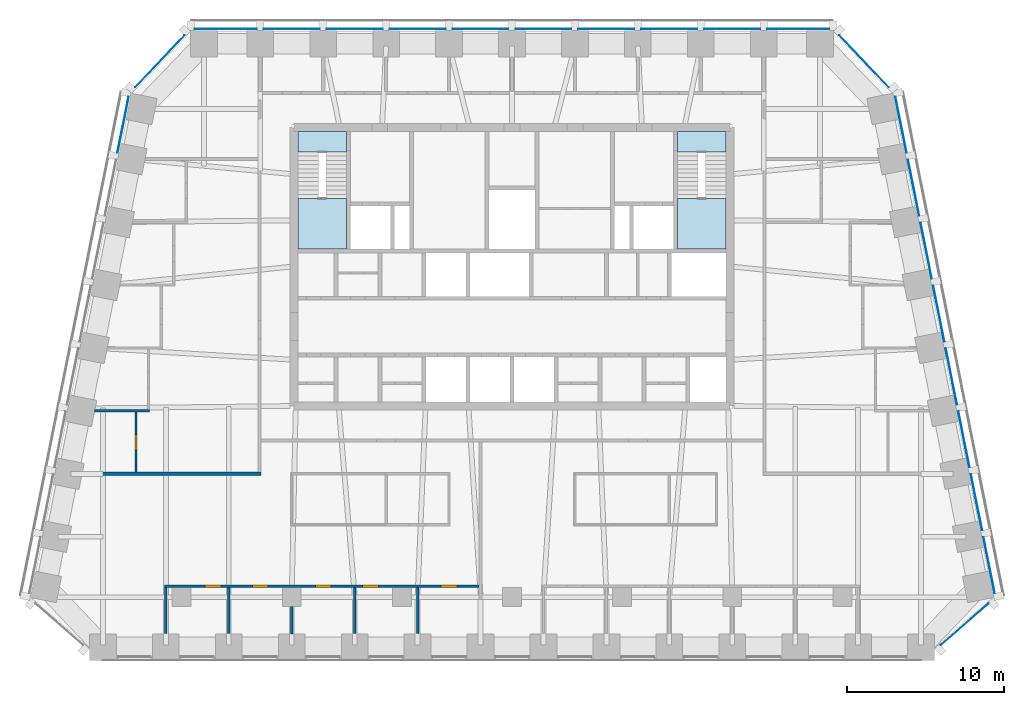
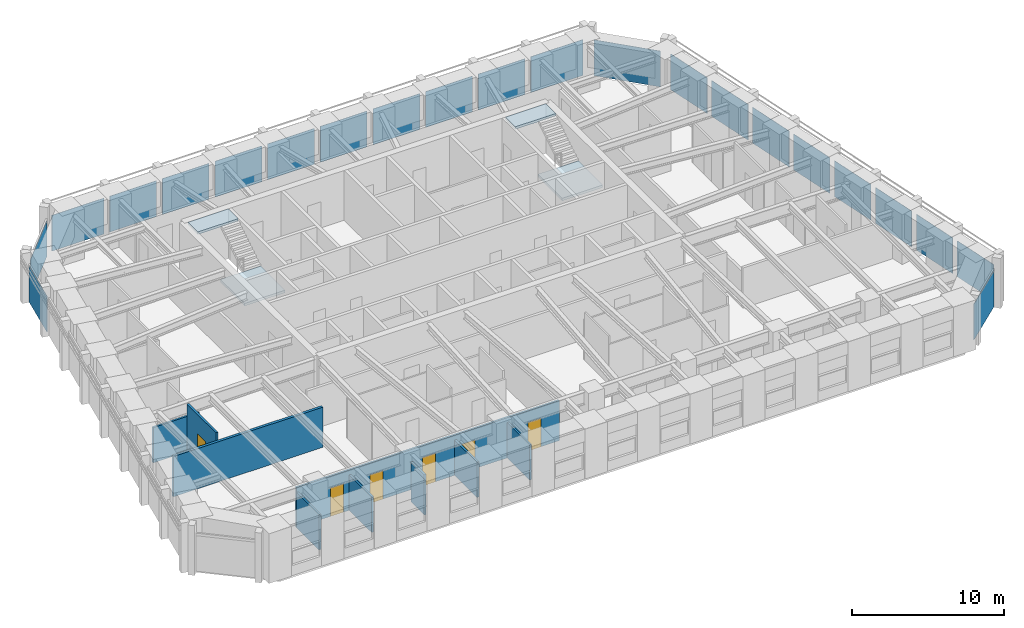
# One storey, part 4 of 11: 22 plates, 9 walls, 6 doors, 4 slabs, 6 openings, 8 elements without a shape of their own.
"""IFC4 building model written with IfcOpenShell, lengths in metres."""

from ifc_helpers import new_model, si_unit, direction, frame, frame_2d, origin, origin_2d, place, context, subcontext, project, spatial, polyline, rectangle, outline, extrude, material, layer, layer_set, type_object, element, fill, aggregate, save


model = new_model("IFC4")

# Units and contexts
model_context = context("Model", 3, precision=1e-05, world=origin(), true_north=direction((0.0, 1.0)))
body_context = subcontext(model_context, "Body", "Model", "MODEL_VIEW")
ifc_project = project(units=[si_unit("LENGTHUNIT", "METRE"), si_unit("AREAUNIT", "SQUARE_METRE"), si_unit("VOLUMEUNIT", "CUBIC_METRE"), si_unit("PLANEANGLEUNIT", "RADIAN"), si_unit("MASSUNIT", "GRAM", prefix="KILO")], contexts=[model_context])

# Site, building, storey
site_placement = place(None, origin())
site = spatial("IfcSite", under=ifc_project, at=site_placement, CompositionType="ELEMENT")
building_placement = place(site_placement, origin())
building = spatial("IfcBuilding", under=site, at=building_placement, Name="Isbrekke Arena Tower", CompositionType="ELEMENT")
storey_placement = place(building_placement, frame((0.0, 0.0, 276.0)))
storey = spatial("IfcBuildingStorey", under=building, at=storey_placement, Name="L64", CompositionType="ELEMENT", Elevation=276.0)

# Curtain wall, plate
ifc_material_1 = material(Name="Glazed aluminium curtain wall", Category="aluminium")
curtain_wall_type = type_object("IfcCurtainWallType", Name="CWT TOWER CURTAIN WALL TOP ZONE", PredefinedType="USERDEFINED", material=ifc_material_1)
curtain_wall_1_placement = place(storey_placement, origin())
curtain_wall_1 = element("IfcCurtainWall", 1, at=curtain_wall_1_placement, inside=storey, type_object=curtain_wall_type, Name="CWT curtain wall L64-SE", ObjectType="TOWER CURTAIN WALL TOP ZONE", PredefinedType="USERDEFINED")
ifc_material_2 = material(Name="Triple-glazed clear glass unit", Category="glass")
ifc_layer_1 = layer(ifc_material_2, 0.031982421875)
ifc_layer_set_1 = layer_set([ifc_layer_1], Name="CWT-P VISION PANEL")
plate_type = type_object("IfcPlateType", Name="CWT-P VISION PANEL", PredefinedType="CURTAIN_PANEL", material=ifc_layer_set_1)
plate_1_placement = place(storey_placement, frame((28.7724609375, -7.7216796875, 0.02001953125), z_axis=(0.0, 0.0, 1.0), x_axis=(0.754605522159, 0.65617871493, 0.0)))
plate_1 = element("IfcPlate", 2, at=plate_1_placement, type_object=plate_type, Name="CWT-P panel 1", PredefinedType="CURTAIN_PANEL", context=body_context, shape_type="SweptSolid", body=[
    extrude(rectangle(XDim=4.0283203125, YDim=0.031982421875, at=origin_2d()), origin(), (0.0, 0.0, 1.0), 2.8798828125),
])
aggregate(curtain_wall_1, [plate_1])

# Curtain wall, plates
curtain_wall_2_placement = place(storey_placement, origin())
curtain_wall_2 = element("IfcCurtainWall", 3, at=curtain_wall_2_placement, inside=storey, type_object=curtain_wall_type, Name="CWT curtain wall L64-E", ObjectType="TOWER CURTAIN WALL TOP ZONE", PredefinedType="USERDEFINED")
plate_2_placement = place(storey_placement, frame((30.322509765625, -3.9755859375, 0.02001953125), z_axis=(0.0, 0.0, 1.0), x_axis=(-0.196116135138, 0.980580675691, 0.0)))
plate_2 = element("IfcPlate", 4, at=plate_2_placement, type_object=plate_type, Name="CWT-P panel 1", PredefinedType="CURTAIN_PANEL", context=body_context, shape_type="SweptSolid", body=[
    extrude(rectangle(XDim=3.629150390625, YDim=0.031982421875, at=origin_2d()), origin(), (0.0, 0.0, 1.0), 2.8798828125),
])
plate_3_placement = place(storey_placement, frame((29.5224609375, 0.0244140625, 0.02001953125), z_axis=(0.0, 0.0, 1.0), x_axis=(-0.196116135138, 0.980580675691, 0.0)))
plate_3 = element("IfcPlate", 5, at=plate_3_placement, type_object=plate_type, Name="CWT-P panel 2", PredefinedType="CURTAIN_PANEL", context=body_context, shape_type="SweptSolid", body=[
    extrude(rectangle(XDim=3.629150390625, YDim=0.031982421875, at=origin_2d()), origin(), (0.0, 0.0, 1.0), 2.8798828125),
])
plate_4_placement = place(storey_placement, frame((28.72265625, 4.0244140625, 0.02001953125), z_axis=(0.0, 0.0, 1.0), x_axis=(-0.196116135138, 0.980580675691, 0.0)))
plate_4 = element("IfcPlate", 6, at=plate_4_placement, type_object=plate_type, Name="CWT-P panel 3", PredefinedType="CURTAIN_PANEL", context=body_context, shape_type="SweptSolid", body=[
    extrude(rectangle(XDim=3.629150390625, YDim=0.031982421875, at=origin_2d()), origin(), (0.0, 0.0, 1.0), 2.8798828125),
])
plate_5_placement = place(storey_placement, frame((27.922607421875, 8.0244140625, 0.02001953125), z_axis=(0.0, 0.0, 1.0), x_axis=(-0.196116135138, 0.980580675691, 0.0)))
plate_5 = element("IfcPlate", 7, at=plate_5_placement, type_object=plate_type, Name="CWT-P panel 4", PredefinedType="CURTAIN_PANEL", context=body_context, shape_type="SweptSolid", body=[
    extrude(rectangle(XDim=3.629150390625, YDim=0.031982421875, at=origin_2d()), origin(), (0.0, 0.0, 1.0), 2.8798828125),
])
plate_6_placement = place(storey_placement, frame((27.12255859375, 12.0244140625, 0.02001953125), z_axis=(0.0, 0.0, 1.0), x_axis=(-0.196116135138, 0.980580675691, 0.0)))
plate_6 = element("IfcPlate", 8, at=plate_6_placement, type_object=plate_type, Name="CWT-P panel 5", PredefinedType="CURTAIN_PANEL", context=body_context, shape_type="SweptSolid", body=[
    extrude(rectangle(XDim=3.629150390625, YDim=0.031982421875, at=origin_2d()), origin(), (0.0, 0.0, 1.0), 2.8798828125),
])
plate_7_placement = place(storey_placement, frame((26.322509765625, 16.0244140625, 0.02001953125), z_axis=(0.0, 0.0, 1.0), x_axis=(-0.196116135138, 0.980580675691, 0.0)))
plate_7 = element("IfcPlate", 9, at=plate_7_placement, type_object=plate_type, Name="CWT-P panel 6", PredefinedType="CURTAIN_PANEL", context=body_context, shape_type="SweptSolid", body=[
    extrude(rectangle(XDim=3.629150390625, YDim=0.031982421875, at=origin_2d()), origin(), (0.0, 0.0, 1.0), 2.8798828125),
])
plate_8_placement = place(storey_placement, frame((25.5224609375, 20.0244140625, 0.02001953125), z_axis=(0.0, 0.0, 1.0), x_axis=(-0.196116135138, 0.980580675691, 0.0)))
plate_8 = element("IfcPlate", 10, at=plate_8_placement, type_object=plate_type, Name="CWT-P panel 7", PredefinedType="CURTAIN_PANEL", context=body_context, shape_type="SweptSolid", body=[
    extrude(rectangle(XDim=3.629150390625, YDim=0.031982421875, at=origin_2d()), origin(), (0.0, 0.0, 1.0), 2.8798828125),
])
plate_9_placement = place(storey_placement, frame((24.72265625, 24.0244140625, 0.02001953125), z_axis=(0.0, 0.0, 1.0), x_axis=(-0.196116135138, 0.980580675691, 0.0)))
plate_9 = element("IfcPlate", 11, at=plate_9_placement, type_object=plate_type, Name="CWT-P panel 8", PredefinedType="CURTAIN_PANEL", context=body_context, shape_type="SweptSolid", body=[
    extrude(rectangle(XDim=3.629150390625, YDim=0.031982421875, at=origin_2d()), origin(), (0.0, 0.0, 1.0), 2.8798828125),
])
aggregate(curtain_wall_2, [plate_2, plate_3, plate_4, plate_5, plate_6, plate_7, plate_8, plate_9])

# Curtain wall, plate
curtain_wall_3_placement = place(storey_placement, origin())
curtain_wall_3 = element("IfcCurtainWall", 12, at=curtain_wall_3_placement, inside=storey, type_object=curtain_wall_type, Name="CWT curtain wall L64-EN", ObjectType="TOWER CURTAIN WALL TOP ZONE", PredefinedType="USERDEFINED")
plate_10_placement = place(storey_placement, frame((22.374755859375, 28.06640625, 0.02001953125), z_axis=(0.0, 0.0, 1.0), x_axis=(-0.68874946192, 0.72499943359, 0.0)))
plate_10 = element("IfcPlate", 13, at=plate_10_placement, type_object=plate_type, Name="CWT-P panel 1", PredefinedType="CURTAIN_PANEL", context=body_context, shape_type="SweptSolid", body=[
    extrude(rectangle(XDim=4.558349609375, YDim=0.031982421875, at=origin_2d()), origin(), (0.0, 0.0, 1.0), 2.8798828125),
])
aggregate(curtain_wall_3, [plate_10])

# Curtain wall, plates
curtain_wall_4_placement = place(storey_placement, origin())
curtain_wall_4 = element("IfcCurtainWall", 14, at=curtain_wall_4_placement, inside=storey, type_object=curtain_wall_type, Name="CWT curtain wall L64-N", ObjectType="TOWER CURTAIN WALL TOP ZONE", PredefinedType="USERDEFINED")
plate_11_placement = place(storey_placement, frame((18.199951171875, 30.125, 0.02001953125), z_axis=(0.0, 0.0, 1.0), x_axis=(-1.0, 0.0, 0.0)))
plate_11 = element("IfcPlate", 15, at=plate_11_placement, type_object=plate_type, Name="CWT-P panel 1", PredefinedType="CURTAIN_PANEL", context=body_context, shape_type="SweptSolid", body=[
    extrude(rectangle(XDim=3.949951171875, YDim=0.031982421875, at=origin_2d()), origin(), (0.0, 0.0, 1.0), 2.8798828125),
])
plate_12_placement = place(storey_placement, frame((14.0, 30.125, 0.02001953125), z_axis=(0.0, 0.0, 1.0), x_axis=(-1.0, 0.0, 0.0)))
plate_12 = element("IfcPlate", 16, at=plate_12_placement, type_object=plate_type, Name="CWT-P panel 2", PredefinedType="CURTAIN_PANEL", context=body_context, shape_type="SweptSolid", body=[
    extrude(rectangle(XDim=3.550048828125, YDim=0.031982421875, at=origin_2d()), origin(), (0.0, 0.0, 1.0), 2.8798828125),
])
plate_13_placement = place(storey_placement, frame((10.0, 30.125, 0.02001953125), z_axis=(0.0, 0.0, 1.0), x_axis=(-1.0, 0.0, 0.0)))
plate_13 = element("IfcPlate", 17, at=plate_13_placement, type_object=plate_type, Name="CWT-P panel 3", PredefinedType="CURTAIN_PANEL", context=body_context, shape_type="SweptSolid", body=[
    extrude(rectangle(XDim=3.550048828125, YDim=0.031982421875, at=origin_2d()), origin(), (0.0, 0.0, 1.0), 2.8798828125),
])
plate_14_placement = place(storey_placement, frame((6.0, 30.125, 0.02001953125), z_axis=(0.0, 0.0, 1.0), x_axis=(-1.0, 0.0, 0.0)))
plate_14 = element("IfcPlate", 18, at=plate_14_placement, type_object=plate_type, Name="CWT-P panel 4", PredefinedType="CURTAIN_PANEL", context=body_context, shape_type="SweptSolid", body=[
    extrude(rectangle(XDim=3.550048828125, YDim=0.031982421875, at=origin_2d()), origin(), (0.0, 0.0, 1.0), 2.8798828125),
])
plate_15_placement = place(storey_placement, frame((2.0, 30.125, 0.02001953125), z_axis=(0.0, 0.0, 1.0), x_axis=(-1.0, 0.0, 0.0)))
plate_15 = element("IfcPlate", 19, at=plate_15_placement, type_object=plate_type, Name="CWT-P panel 5", PredefinedType="CURTAIN_PANEL", context=body_context, shape_type="SweptSolid", body=[
    extrude(rectangle(XDim=3.550048828125, YDim=0.031982421875, at=origin_2d()), origin(), (0.0, 0.0, 1.0), 2.8798828125),
])
plate_16_placement = place(storey_placement, frame((-2.0, 30.125, 0.02001953125), z_axis=(0.0, 0.0, 1.0), x_axis=(-1.0, 0.0, 0.0)))
plate_16 = element("IfcPlate", 20, at=plate_16_placement, type_object=plate_type, Name="CWT-P panel 6", PredefinedType="CURTAIN_PANEL", context=body_context, shape_type="SweptSolid", body=[
    extrude(rectangle(XDim=3.550048828125, YDim=0.031982421875, at=origin_2d()), origin(), (0.0, 0.0, 1.0), 2.8798828125),
])
plate_17_placement = place(storey_placement, frame((-6.0, 30.125, 0.02001953125), z_axis=(0.0, 0.0, 1.0), x_axis=(-1.0, 0.0, 0.0)))
plate_17 = element("IfcPlate", 21, at=plate_17_placement, type_object=plate_type, Name="CWT-P panel 7", PredefinedType="CURTAIN_PANEL", context=body_context, shape_type="SweptSolid", body=[
    extrude(rectangle(XDim=3.550048828125, YDim=0.031982421875, at=origin_2d()), origin(), (0.0, 0.0, 1.0), 2.8798828125),
])
plate_18_placement = place(storey_placement, frame((-10.0, 30.125, 0.02001953125), z_axis=(0.0, 0.0, 1.0), x_axis=(-1.0, 0.0, 0.0)))
plate_18 = element("IfcPlate", 22, at=plate_18_placement, type_object=plate_type, Name="CWT-P panel 8", PredefinedType="CURTAIN_PANEL", context=body_context, shape_type="SweptSolid", body=[
    extrude(rectangle(XDim=3.550048828125, YDim=0.031982421875, at=origin_2d()), origin(), (0.0, 0.0, 1.0), 2.8798828125),
])
plate_19_placement = place(storey_placement, frame((-14.0, 30.125, 0.02001953125), z_axis=(0.0, 0.0, 1.0), x_axis=(-1.0, 0.0, 0.0)))
plate_19 = element("IfcPlate", 23, at=plate_19_placement, type_object=plate_type, Name="CWT-P panel 9", PredefinedType="CURTAIN_PANEL", context=body_context, shape_type="SweptSolid", body=[
    extrude(rectangle(XDim=3.550048828125, YDim=0.031982421875, at=origin_2d()), origin(), (0.0, 0.0, 1.0), 2.8798828125),
])
plate_20_placement = place(storey_placement, frame((-18.199951171875, 30.125, 0.02001953125), z_axis=(0.0, 0.0, 1.0), x_axis=(-1.0, 0.0, 0.0)))
plate_20 = element("IfcPlate", 24, at=plate_20_placement, type_object=plate_type, Name="CWT-P panel 10", PredefinedType="CURTAIN_PANEL", context=body_context, shape_type="SweptSolid", body=[
    extrude(rectangle(XDim=3.949951171875, YDim=0.031982421875, at=origin_2d()), origin(), (0.0, 0.0, 1.0), 2.8798828125),
])
aggregate(curtain_wall_4, [plate_11, plate_12, plate_13, plate_14, plate_15, plate_16, plate_17, plate_18, plate_19, plate_20])

# Curtain wall, plate
curtain_wall_5_placement = place(storey_placement, origin())
curtain_wall_5 = element("IfcCurtainWall", 25, at=curtain_wall_5_placement, inside=storey, type_object=curtain_wall_type, Name="CWT curtain wall L64-NW", ObjectType="TOWER CURTAIN WALL TOP ZONE", PredefinedType="USERDEFINED")
plate_21_placement = place(storey_placement, frame((-22.37451171875, 28.066650390625, 0.02001953125), z_axis=(0.0, 0.0, 1.0), x_axis=(-0.68874946192, -0.72499943359, 0.0)))
plate_21 = element("IfcPlate", 26, at=plate_21_placement, type_object=plate_type, Name="CWT-P panel 1", PredefinedType="CURTAIN_PANEL", context=body_context, shape_type="SweptSolid", body=[
    extrude(rectangle(XDim=4.557373046875, YDim=0.031982421875, at=origin_2d()), origin(), (0.0, 0.0, 1.0), 2.8798828125),
])
aggregate(curtain_wall_5, [plate_21])

curtain_wall_6_placement = place(storey_placement, origin())
curtain_wall_6 = element("IfcCurtainWall", 27, at=curtain_wall_6_placement, inside=storey, type_object=curtain_wall_type, Name="CWT curtain wall L64-W", ObjectType="TOWER CURTAIN WALL TOP ZONE", PredefinedType="USERDEFINED")
plate_22_placement = place(storey_placement, frame((-24.72265625, 24.0244140625, 0.02001953125), z_axis=(0.0, 0.0, 1.0), x_axis=(-0.196116135138, -0.980580675691, 0.0)))
plate_22 = element("IfcPlate", 28, at=plate_22_placement, type_object=plate_type, Name="CWT-P panel 1", PredefinedType="CURTAIN_PANEL", context=body_context, shape_type="SweptSolid", body=[
    extrude(rectangle(XDim=3.629150390625, YDim=0.031982421875, at=origin_2d()), origin(), (0.0, 0.0, 1.0), 2.8798828125),
])
aggregate(curtain_wall_6, [plate_22])

# Stair, slabs
ifc_material_3 = material(Name="Concrete B45 (C45/55) precast", Category="concrete")
stair_type = type_object("IfcStairType", Name="ST40 STAIR 1300 WIDE, 24 RISERS 167", PredefinedType="HALF_TURN_STAIR", material=ifc_material_3)
stair_1_placement = place(storey_placement, origin())
stair_1 = element("IfcStair", 29, at=stair_1_placement, inside=storey, type_object=stair_type, Name="ST1 stair L64", PredefinedType="HALF_TURN_STAIR")
ifc_material_4 = material(Name="Concrete B35 (C35/45)", Category="concrete")
ifc_layer_2 = layer(ifc_material_4, 0.199951171875)
ifc_layer_set_2 = layer_set([ifc_layer_2], Name="SL1 STAIR LANDING 200")
slab_type = type_object("IfcSlabType", Name="SL1 STAIR LANDING 200", PredefinedType="LANDING", material=ifc_layer_set_2)
slab_1_placement = place(storey_placement, frame((0.0, 0.0, 1.800048828125)))
slab_1 = element("IfcSlab", 30, at=slab_1_placement, type_object=slab_type, Name="ST1 landing 1", PredefinedType="LANDING", context=body_context, shape_type="SweptSolid", body=[
    extrude(outline(polyline([(-13.60009765625, 16.125), (-10.52490234375, 16.125), (-10.52490234375, 19.330078125), (-13.60009765625, 19.330078125), (-13.60009765625, 16.125)])), origin(), (0.0, 0.0, 1.0), 0.199951171875),
])
slab_2_placement = place(storey_placement, frame((0.0, 0.0, 3.800048828125)))
slab_2 = element("IfcSlab", 31, at=slab_2_placement, type_object=slab_type, Name="ST1 landing 2", PredefinedType="LANDING", context=body_context, shape_type="SweptSolid", body=[
    extrude(outline(polyline([(-13.60009765625, 22.300048828125), (-10.52490234375, 22.300048828125), (-10.52490234375, 23.60009765625), (-13.60009765625, 23.60009765625), (-13.60009765625, 22.300048828125)])), origin(), (0.0, 0.0, 1.0), 0.199951171875),
])
aggregate(stair_1, [slab_1, slab_2])

stair_2_placement = place(storey_placement, origin())
stair_2 = element("IfcStair", 32, at=stair_2_placement, inside=storey, type_object=stair_type, Name="ST2 stair L64", PredefinedType="HALF_TURN_STAIR")
slab_3_placement = place(storey_placement, frame((0.0, 0.0, 1.800048828125)))
slab_3 = element("IfcSlab", 33, at=slab_3_placement, type_object=slab_type, Name="ST2 landing 1", PredefinedType="LANDING", context=body_context, shape_type="SweptSolid", body=[
    extrude(outline(polyline([(10.52490234375, 16.125), (13.60009765625, 16.125), (13.60009765625, 19.330078125), (10.52490234375, 19.330078125), (10.52490234375, 16.125)])), origin(), (0.0, 0.0, 1.0), 0.199951171875),
])
slab_4_placement = place(storey_placement, frame((0.0, 0.0, 3.800048828125)))
slab_4 = element("IfcSlab", 34, at=slab_4_placement, type_object=slab_type, Name="ST2 landing 2", PredefinedType="LANDING", context=body_context, shape_type="SweptSolid", body=[
    extrude(outline(polyline([(10.52490234375, 22.300048828125), (13.60009765625, 22.300048828125), (13.60009765625, 23.60009765625), (10.52490234375, 23.60009765625), (10.52490234375, 22.300048828125)])), origin(), (0.0, 0.0, 1.0), 0.199951171875),
])
aggregate(stair_2, [slab_3, slab_4])

# Wall, openings, doors
ifc_material_5 = material(Name="Gypsum board partition on steel studs", Category="steel")
ifc_layer_3 = layer(ifc_material_5, 0.14990234375)
ifc_layer_set_3 = layer_set([ifc_layer_3], Name="IW1 PARTITION 150")
wall_type_1 = type_object("IfcWallType", Name="IW1 PARTITION 150", PredefinedType="PARTITIONING", material=ifc_layer_set_3)
wall_1_placement = place(storey_placement, frame((-22.074951171875, -5.300048828125, 0.0), z_axis=(0.0, 0.0, 1.0), x_axis=(1.0, 0.0, 0.0)))
wall_1 = element("IfcWall", 35, at=wall_1_placement, inside=storey, type_object=wall_type_1, Name="IW1 partition 150 L64", PredefinedType="PARTITIONING", context=body_context, shape_type="SweptSolid", body=[
    extrude(rectangle(XDim=19.974853515625, YDim=0.14990234375, at=frame_2d((9.9873046875, 0.0))), origin(), (0.0, 0.0, 1.0), 3.22998046875),
])
opening_1_placement = place(wall_1_placement, frame((2.574951171875, 0.0, 0.0)))
opening_1 = element("IfcOpeningElement", 36, at=opening_1_placement, cuts=wall_1, Name="Opening D10", PredefinedType="OPENING", context=body_context, shape_type="SweptSolid", body=[
    extrude(rectangle(XDim=1.0, YDim=2.300048828125, at=frame_2d((0.5, 1.14990234375))), frame((0.0, 0.08984375, 0.0), z_axis=(0.0, -1.0, 0.0), x_axis=(1.0, 0.0, 0.0)), (0.0, 0.0, 1.0), 0.1796875),
])
opening_2_placement = place(wall_1_placement, frame((5.574951171875, 0.0, 0.0)))
opening_2 = element("IfcOpeningElement", 37, at=opening_2_placement, cuts=wall_1, Name="Opening D10", PredefinedType="OPENING", context=body_context, shape_type="SweptSolid", body=[
    extrude(rectangle(XDim=1.0, YDim=2.300048828125, at=frame_2d((0.5, 1.14990234375))), frame((0.0, 0.08984375, 0.0), z_axis=(0.0, -1.0, 0.0), x_axis=(1.0, 0.0, 0.0)), (0.0, 0.0, 1.0), 0.1796875),
])
opening_3_placement = place(wall_1_placement, frame((9.574951171875, 0.0, 0.0)))
opening_3 = element("IfcOpeningElement", 38, at=opening_3_placement, cuts=wall_1, Name="Opening D10", PredefinedType="OPENING", context=body_context, shape_type="SweptSolid", body=[
    extrude(rectangle(XDim=1.0, YDim=2.300048828125, at=frame_2d((0.5, 1.14990234375))), frame((0.0, 0.08984375, 0.0), z_axis=(0.0, -1.0, 0.0), x_axis=(1.0, 0.0, 0.0)), (0.0, 0.0, 1.0), 0.1796875),
])
opening_4_placement = place(wall_1_placement, frame((12.574951171875, 0.0, 0.0)))
opening_4 = element("IfcOpeningElement", 39, at=opening_4_placement, cuts=wall_1, Name="Opening D10", PredefinedType="OPENING", context=body_context, shape_type="SweptSolid", body=[
    extrude(rectangle(XDim=1.0, YDim=2.300048828125, at=frame_2d((0.5, 1.14990234375))), frame((0.0, 0.08984375, 0.0), z_axis=(0.0, -1.0, 0.0), x_axis=(1.0, 0.0, 0.0)), (0.0, 0.0, 1.0), 0.1796875),
])
opening_5_placement = place(wall_1_placement, frame((17.574951171875, 0.0, 0.0)))
opening_5 = element("IfcOpeningElement", 40, at=opening_5_placement, cuts=wall_1, Name="Opening D10", PredefinedType="OPENING", context=body_context, shape_type="SweptSolid", body=[
    extrude(rectangle(XDim=1.0, YDim=2.300048828125, at=frame_2d((0.5, 1.14990234375))), frame((0.0, 0.08984375, 0.0), z_axis=(0.0, -1.0, 0.0), x_axis=(1.0, 0.0, 0.0)), (0.0, 0.0, 1.0), 0.1796875),
])
ifc_material_6 = material(Name="Timber door", Category="wood")
door_type = type_object("IfcDoorType", Name="D10 OFFICE DOOR 1000 x 2300", OperationType="SINGLE_SWING_LEFT", PredefinedType="DOOR", material=ifc_material_6)
door_1_placement = place(opening_1_placement, origin())
door_1 = element("IfcDoor", 41, at=door_1_placement, inside=storey, type_object=door_type, Name="D10 office door L64", OperationType="SINGLE_SWING_LEFT", OverallHeight=2.300048828125, OverallWidth=1.0, PredefinedType="DOOR", context=body_context, shape_type="SweptSolid", body=[
    extrude(rectangle(XDim=1.0, YDim=2.300048828125, at=frame_2d((0.5, 1.14990234375))), frame((0.0, 0.07470703125, 0.0), z_axis=(0.0, -1.0, 0.0), x_axis=(1.0, 0.0, 0.0)), (0.0, 0.0, 1.0), 0.1494140625),
])
fill(opening_1, door_1)
door_2_placement = place(opening_2_placement, origin())
door_2 = element("IfcDoor", 42, at=door_2_placement, inside=storey, type_object=door_type, Name="D10 office door L64", OperationType="SINGLE_SWING_LEFT", OverallHeight=2.300048828125, OverallWidth=1.0, PredefinedType="DOOR", context=body_context, shape_type="SweptSolid", body=[
    extrude(rectangle(XDim=1.0, YDim=2.300048828125, at=frame_2d((0.5, 1.14990234375))), frame((0.0, 0.07470703125, 0.0), z_axis=(0.0, -1.0, 0.0), x_axis=(1.0, 0.0, 0.0)), (0.0, 0.0, 1.0), 0.1494140625),
])
fill(opening_2, door_2)
door_3_placement = place(opening_3_placement, origin())
door_3 = element("IfcDoor", 43, at=door_3_placement, inside=storey, type_object=door_type, Name="D10 office door L64", OperationType="SINGLE_SWING_LEFT", OverallHeight=2.300048828125, OverallWidth=1.0, PredefinedType="DOOR", context=body_context, shape_type="SweptSolid", body=[
    extrude(rectangle(XDim=1.0, YDim=2.300048828125, at=frame_2d((0.5, 1.14990234375))), frame((0.0, 0.07470703125, 0.0), z_axis=(0.0, -1.0, 0.0), x_axis=(1.0, 0.0, 0.0)), (0.0, 0.0, 1.0), 0.1494140625),
])
fill(opening_3, door_3)
door_4_placement = place(opening_4_placement, origin())
door_4 = element("IfcDoor", 44, at=door_4_placement, inside=storey, type_object=door_type, Name="D10 office door L64", OperationType="SINGLE_SWING_LEFT", OverallHeight=2.300048828125, OverallWidth=1.0, PredefinedType="DOOR", context=body_context, shape_type="SweptSolid", body=[
    extrude(rectangle(XDim=1.0, YDim=2.300048828125, at=frame_2d((0.5, 1.14990234375))), frame((0.0, 0.07470703125, 0.0), z_axis=(0.0, -1.0, 0.0), x_axis=(1.0, 0.0, 0.0)), (0.0, 0.0, 1.0), 0.1494140625),
])
fill(opening_4, door_4)
door_5_placement = place(opening_5_placement, origin())
door_5 = element("IfcDoor", 45, at=door_5_placement, inside=storey, type_object=door_type, Name="D10 office door L64", OperationType="SINGLE_SWING_LEFT", OverallHeight=2.300048828125, OverallWidth=1.0, PredefinedType="DOOR", context=body_context, shape_type="SweptSolid", body=[
    extrude(rectangle(XDim=1.0, YDim=2.300048828125, at=frame_2d((0.5, 1.14990234375))), frame((0.0, 0.07470703125, 0.0), z_axis=(0.0, -1.0, 0.0), x_axis=(1.0, 0.0, 0.0)), (0.0, 0.0, 1.0), 0.1494140625),
])
fill(opening_5, door_5)

# Wall
wall_2_placement = place(storey_placement, frame((-26.523681640625, 5.840087890625, 0.0), z_axis=(0.0, 0.0, 1.0), x_axis=(1.0, 0.0, 0.0)))
element("IfcWall", 46, at=wall_2_placement, inside=storey, type_object=wall_type_1, Name="IW1 partition 150 L64", PredefinedType="PARTITIONING", context=body_context, shape_type="SweptSolid", body=[
    extrude(rectangle(XDim=3.498779296875, YDim=0.14990234375, at=frame_2d((1.74951171875, 0.0))), origin(), (0.0, 0.0, 1.0), 2.842041015625),
])

# Wall, opening, door
wall_3_placement = place(storey_placement, frame((-23.89990234375, 1.93994140625, 0.0), z_axis=(0.0, 0.0, 1.0), x_axis=(0.0, 1.0, 0.0)))
wall_3 = element("IfcWall", 47, at=wall_3_placement, inside=storey, type_object=wall_type_1, Name="IW1 partition 150 L64", PredefinedType="PARTITIONING", context=body_context, shape_type="SweptSolid", body=[
    extrude(rectangle(XDim=3.824951171875, YDim=0.14990234375, at=frame_2d((1.91259765625, 0.0))), origin(), (0.0, 0.0, 1.0), 3.85009765625),
])
opening_6_placement = place(wall_3_placement, frame((1.39990234375, 0.0, 0.0)))
opening_6 = element("IfcOpeningElement", 48, at=opening_6_placement, cuts=wall_3, Name="Opening D10", PredefinedType="OPENING", context=body_context, shape_type="SweptSolid", body=[
    extrude(rectangle(XDim=1.0, YDim=2.300048828125, at=frame_2d((0.5, 1.14990234375))), frame((0.0, 0.08984375, 0.0), z_axis=(0.0, -1.0, 0.0), x_axis=(1.0, 0.0, 0.0)), (0.0, 0.0, 1.0), 0.1796875),
])
door_6_placement = place(opening_6_placement, origin())
door_6 = element("IfcDoor", 49, at=door_6_placement, inside=storey, type_object=door_type, Name="D10 office door L64", OperationType="SINGLE_SWING_LEFT", OverallHeight=2.300048828125, OverallWidth=1.0, PredefinedType="DOOR", context=body_context, shape_type="SweptSolid", body=[
    extrude(rectangle(XDim=1.0, YDim=2.300048828125, at=frame_2d((0.5, 1.14990234375))), frame((0.0, 0.07470703125, 0.0), z_axis=(0.0, -1.0, 0.0), x_axis=(1.0, 0.0, 0.0)), (0.0, 0.0, 1.0), 0.1494140625),
])
fill(opening_6, door_6)

# Walls
for number, where, z_axis, x_axis, name in (
    (50, (-22.0, -8.324951171875, 0.0), (0.0, 0.0, 1.0), (0.0, 1.0, 0.0), "IW1 partition 150 L64"),
    (51, (-18.0, -8.324951171875, 0.0), (0.0, 0.0, 1.0), (0.0, 1.0, 0.0), "IW1 partition 150 L64"),
):
    element("IfcWall", number, at=place(storey_placement, frame(where, z_axis=z_axis, x_axis=x_axis)), inside=storey, type_object=wall_type_1, Name=name, PredefinedType="PARTITIONING", context=body_context, shape_type="SweptSolid", body=[
        extrude(rectangle(XDim=2.949951171875, YDim=0.14990234375, at=frame_2d((1.47509765625, 0.0))), origin(), (0.0, 0.0, 1.0), 2.842041015625),
    ])
wall_4_placement = place(storey_placement, frame((-14.0, -8.324951171875, 0.0), z_axis=(0.0, 0.0, 1.0), x_axis=(0.0, 1.0, 0.0)))
element("IfcWall", 52, at=wall_4_placement, inside=storey, type_object=wall_type_1, Name="IW1 partition 150 L64", PredefinedType="PARTITIONING", context=body_context, shape_type="SweptSolid", body=[
    extrude(rectangle(XDim=1.724853515625, YDim=0.14990234375, at=frame_2d((0.8623046875, 0.0))), origin(), (0.0, 0.0, 1.0), 3.22998046875),
])
for number, where, z_axis, x_axis, name in (
    (53, (-10.0, -8.324951171875, 0.0), (0.0, 0.0, 1.0), (0.0, 1.0, 0.0), "IW1 partition 150 L64"),
    (54, (-6.0, -8.324951171875, 0.0), (0.0, 0.0, 1.0), (0.0, 1.0, 0.0), "IW1 partition 150 L64"),
):
    element("IfcWall", number, at=place(storey_placement, frame(where, z_axis=z_axis, x_axis=x_axis)), inside=storey, type_object=wall_type_1, Name=name, PredefinedType="PARTITIONING", context=body_context, shape_type="SweptSolid", body=[
        extrude(rectangle(XDim=2.949951171875, YDim=0.14990234375, at=frame_2d((1.47509765625, 0.0))), origin(), (0.0, 0.0, 1.0), 2.842041015625),
    ])
ifc_material_7 = material(Name="Gypsum board fire-cell wall on steel studs, two layers each side", Category="steel")
ifc_layer_4 = layer(ifc_material_7, 0.199951171875)
ifc_layer_set_4 = layer_set([ifc_layer_4], Name="IW3 FIRE-CELL WALL 200")
wall_type_2 = type_object("IfcWallType", Name="IW3 FIRE-CELL WALL 200", PredefinedType="PARTITIONING", material=ifc_layer_set_4)
wall_5_placement = place(storey_placement, frame((-27.32373046875, 1.840087890625, 0.0), z_axis=(0.0, 0.0, 1.0), x_axis=(1.0, 0.0, 0.0)))
element("IfcWall", 55, at=wall_5_placement, inside=storey, type_object=wall_type_2, Name="IW3 fire-cell wall 200 L64", PredefinedType="PARTITIONING", context=body_context, shape_type="SweptSolid", body=[
    extrude(rectangle(XDim=11.373779296875, YDim=0.199951171875, at=frame_2d((5.68701171875, 0.0))), origin(), (0.0, 0.0, 1.0), 3.22998046875),
])

save(model, "model.ifc")
